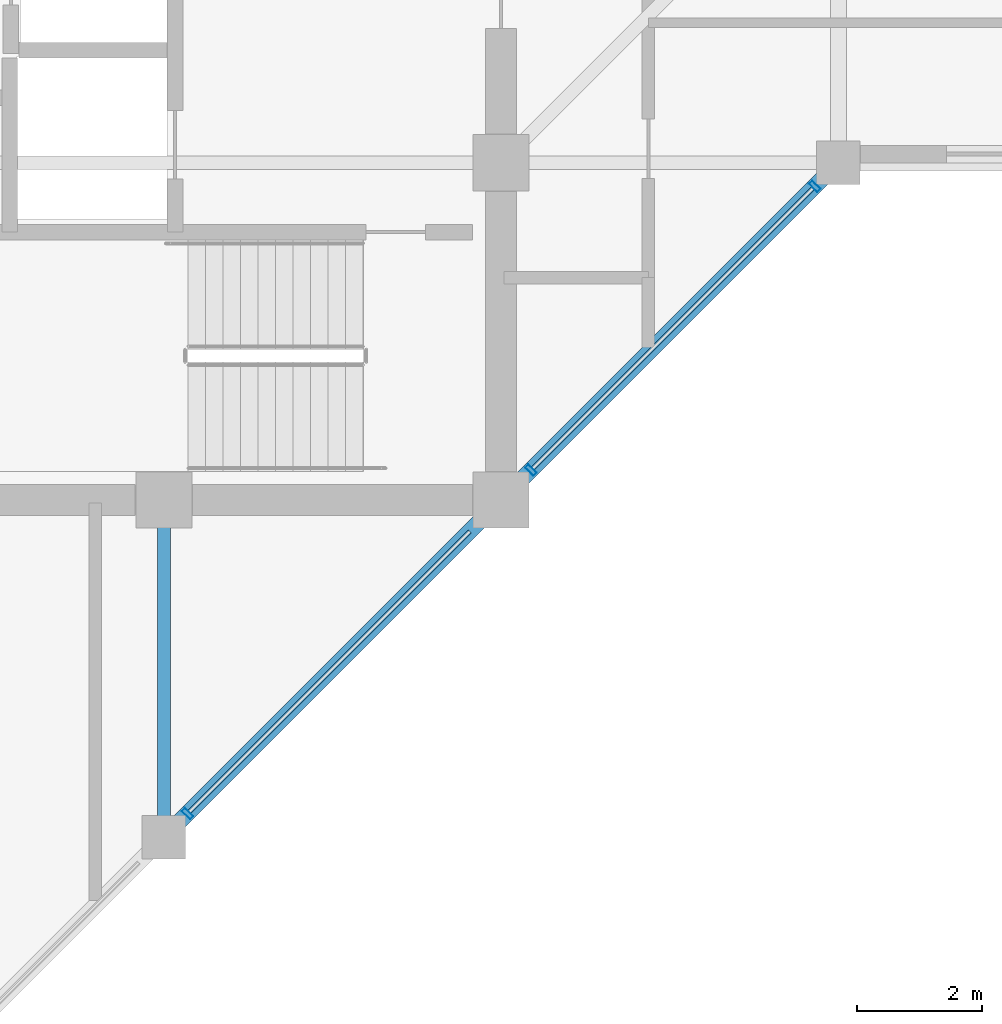
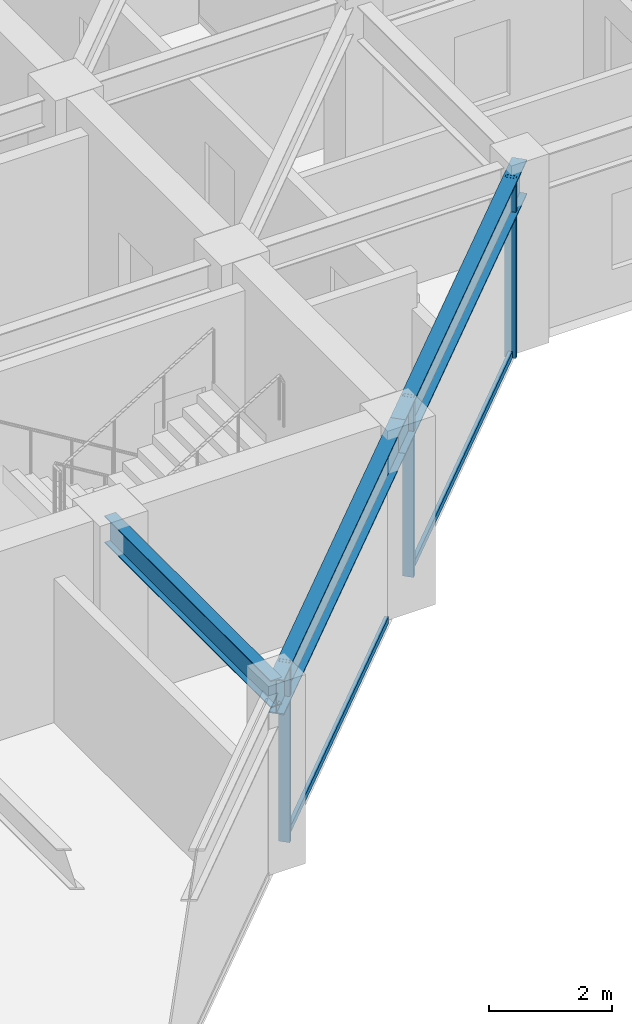
# One storey, part 9 of 31: 5 members, 3 beams, 1 element without a shape of its own.
"""IFC4 building model written with IfcOpenShell, lengths in metres."""

from ifc_helpers import new_model, si_unit, direction, frame, origin, origin_2d, place, context, subcontext, project, spatial, hollow_rectangle, i_section, extrude, material, layer, layer_set, material_profile, profile_set, type_object, element, aggregate, save


model = new_model("IFC4")

# Units and contexts
model_context = context("Model", 3, precision=1e-05, world=origin(), true_north=direction((0.0, 1.0)))
body_context = subcontext(model_context, "Body", "Model", "MODEL_VIEW")
ifc_project = project(units=[si_unit("LENGTHUNIT", "METRE"), si_unit("AREAUNIT", "SQUARE_METRE"), si_unit("VOLUMEUNIT", "CUBIC_METRE"), si_unit("PLANEANGLEUNIT", "RADIAN"), si_unit("MASSUNIT", "GRAM", prefix="KILO")], contexts=[model_context])

# Site, building, storey
site_placement = place(None, origin())
site = spatial("IfcSite", under=ifc_project, at=site_placement, CompositionType="ELEMENT")
building_placement = place(site_placement, origin())
building = spatial("IfcBuilding", under=site, at=building_placement, Name="Surkhivell Harbour Commons", CompositionType="ELEMENT")
storey_placement = place(building_placement, frame((0.0, 0.0, 322.5)))
storey = spatial("IfcBuildingStorey", under=building, at=storey_placement, Name="L84", CompositionType="ELEMENT", Elevation=322.5)

# Beams
ifc_material_1 = material(Name="Steel S355", Category="steel")
ifc_material_profile_1 = material_profile(ifc_material_1, i_section(OverallWidth=0.2099609375, OverallDepth=0.537109375, WebThickness=0.0107421875, FlangeThickness=0.017333984375, at=origin_2d()), Name="UB533x210x101")
ifc_profile_set_1 = profile_set([ifc_material_profile_1], Name="Steel S355")
beam_type_1 = type_object("IfcBeamType", Name="BM-GRD-533B", PredefinedType="BEAM", material=ifc_profile_set_1)
beam_placement = place(storey_placement, frame((5.39990234375, -16.199951171875, 3.301513671875), z_axis=(0.0, 1.0, 0.0), x_axis=(-1.0, 0.0, 0.0)))
element("IfcBeam", 1, at=beam_placement, inside=storey, type_object=beam_type_1, Name="L84 Floor Girder (5.4,-16.2)", PredefinedType="BEAM", context=body_context, shape_type="SweptSolid", body=[
    extrude(i_section(OverallWidth=0.2099609375, OverallDepth=0.537109375, WebThickness=0.0107421875, FlangeThickness=0.017333984375, at=origin_2d()), origin(), (0.0, 0.0, 1.0), 5.39990234375),
])
ifc_material_profile_2 = material_profile(ifc_material_1, i_section(OverallWidth=0.256103515625, OverallDepth=0.693115234375, WebThickness=0.014404296875, FlangeThickness=0.023681640625, at=origin_2d()), Name="UB686x254x170")
ifc_profile_set_2 = profile_set([ifc_material_profile_2], Name="Steel S355")
beam_type_2 = type_object("IfcBeamType", Name="BM-SPN-686", PredefinedType="SPANDREL", material=ifc_profile_set_2)
for number, where, z_axis, x_axis, name in (
    (2, (5.39990234375, -16.199951171875, 3.223388671875), (0.707122765516, 0.707090796496, 0.0), (-0.707090796496, 0.707122765516, 0.0), "L84 Tube Spandrel (5.4,-16.2)"),
    (3, (10.800048828125, -10.800048828125, 3.223388671875), (0.707090796496, 0.707122765516, 0.0), (-0.707122765516, 0.707090796496, 0.0), "L84 Tube Spandrel (10.8,-10.8)"),
):
    element("IfcBeam", number, at=place(storey_placement, frame(where, z_axis=z_axis, x_axis=x_axis)), inside=storey, type_object=beam_type_2, Name=name, PredefinedType="SPANDREL", context=body_context, shape_type="SweptSolid", body=[
        extrude(i_section(OverallWidth=0.256103515625, OverallDepth=0.693115234375, WebThickness=0.014404296875, FlangeThickness=0.023681640625, at=origin_2d()), origin(), (0.0, 0.0, 1.0), 7.63671875),
    ])

# Curtain wall, members
ifc_material_2 = material(Name="Anodised pale-metal aluminium and insulated glazing", Category="aluminium")
ifc_layer = layer(ifc_material_2, 0.175048828125)
ifc_layer_set = layer_set([ifc_layer], Name="Anodised pale-metal aluminium and insulated glazing")
curtain_wall_type = type_object("IfcCurtainWallType", Name="CW-SYS-Z4", PredefinedType="NOTDEFINED", material=ifc_layer_set)
curtain_wall_placement = place(storey_placement, origin())
curtain_wall = element("IfcCurtainWall", 4, at=curtain_wall_placement, inside=storey, type_object=curtain_wall_type, Name="L84 Curtain Wall CW-L84-E01", PredefinedType="NOTDEFINED")
ifc_material_3 = material(Name="Anodised pale-metal aluminium alloy 6063-T6", Category="aluminium")
ifc_material_profile_3 = material_profile(ifc_material_3, hollow_rectangle(XDim=0.074951171875, YDim=0.18994140625, WallThickness=0.00390625, at=origin_2d()), Name="ALU-MULL-75x190")
ifc_profile_set_3 = profile_set([ifc_material_profile_3], Name="Anodised pale-metal aluminium alloy 6063-T6")
member_type_1 = type_object("IfcMemberType", Name="CWM-190", PredefinedType="MULLION", material=ifc_profile_set_3)
member_1_placement = place(storey_placement, frame((5.778076171875, -15.82177734375, 0.0), z_axis=(0.0, 0.0, 1.0), x_axis=(0.707106781187, 0.707106781187, 0.0)))
member_1 = element("IfcMember", 5, at=member_1_placement, type_object=member_type_1, Name="CW-Z4 mullion 2", PredefinedType="MULLION", context=body_context, shape_type="SweptSolid", body=[
    extrude(hollow_rectangle(XDim=0.074951171875, YDim=0.18994140625, WallThickness=0.00390625, at=origin_2d()), origin(), (0.0, 0.0, 1.0), 3.570068359375),
])
member_2_placement = place(storey_placement, frame((11.278076171875, -10.32177734375, 0.0), z_axis=(0.0, 0.0, 1.0), x_axis=(0.707106781187, 0.707106781187, 0.0)))
member_2 = element("IfcMember", 6, at=member_2_placement, type_object=member_type_1, Name="CW-Z4 mullion 3", PredefinedType="MULLION", context=body_context, shape_type="SweptSolid", body=[
    extrude(hollow_rectangle(XDim=0.074951171875, YDim=0.18994140625, WallThickness=0.00390625, at=origin_2d()), origin(), (0.0, 0.0, 1.0), 3.570068359375),
])
member_3_placement = place(storey_placement, frame((15.82177734375, -5.778076171875, 0.0), z_axis=(0.0, 0.0, 1.0), x_axis=(0.707106781187, 0.707106781187, 0.0)))
member_3 = element("IfcMember", 7, at=member_3_placement, type_object=member_type_1, Name="CW-Z4 mullion 4", PredefinedType="MULLION", context=body_context, shape_type="SweptSolid", body=[
    extrude(hollow_rectangle(XDim=0.074951171875, YDim=0.18994140625, WallThickness=0.00390625, at=origin_2d()), origin(), (0.0, 0.0, 1.0), 3.570068359375),
])
ifc_material_4 = material(Name="Champagne anodised aluminium alloy 6063-T6", Category="aluminium")
ifc_material_profile_4 = material_profile(ifc_material_4, hollow_rectangle(XDim=0.070068359375, YDim=0.1298828125, WallThickness=0.00341796875, at=origin_2d()), Name="ALU-TRAN-70x130")
ifc_profile_set_4 = profile_set([ifc_material_profile_4], Name="Champagne anodised aluminium alloy 6063-T6")
member_type_2 = type_object("IfcMemberType", Name="CWT-130", PredefinedType="USERDEFINED", material=ifc_profile_set_4)
member_4_placement = place(storey_placement, frame((5.8046875, -15.79541015625, 0.06494140625), z_axis=(0.707106781187, 0.707106781187, 0.0), x_axis=(-0.707106781187, 0.707106781187, 0.0)))
member_4 = element("IfcMember", 8, at=member_4_placement, type_object=member_type_2, Name="CW-Z4 transom 2.1", ObjectType="TRANSOM", PredefinedType="USERDEFINED", context=body_context, shape_type="SweptSolid", body=[
    extrude(hollow_rectangle(XDim=0.070068359375, YDim=0.1298828125, WallThickness=0.00341796875, at=origin_2d()), origin(), (0.0, 0.0, 1.0), 6.350830078125),
])
member_5_placement = place(storey_placement, frame((11.3046875, -10.29541015625, 0.06494140625), z_axis=(0.707106781187, 0.707106781187, 0.0), x_axis=(-0.707106781187, 0.707106781187, 0.0)))
member_5 = element("IfcMember", 9, at=member_5_placement, type_object=member_type_2, Name="CW-Z4 transom 3.1", ObjectType="TRANSOM", PredefinedType="USERDEFINED", context=body_context, shape_type="SweptSolid", body=[
    extrude(hollow_rectangle(XDim=0.070068359375, YDim=0.1298828125, WallThickness=0.00341796875, at=origin_2d()), origin(), (0.0, 0.0, 1.0), 6.350830078125),
])
aggregate(curtain_wall, [member_1, member_4, member_2, member_3, member_5])

save(model, "model.ifc")
